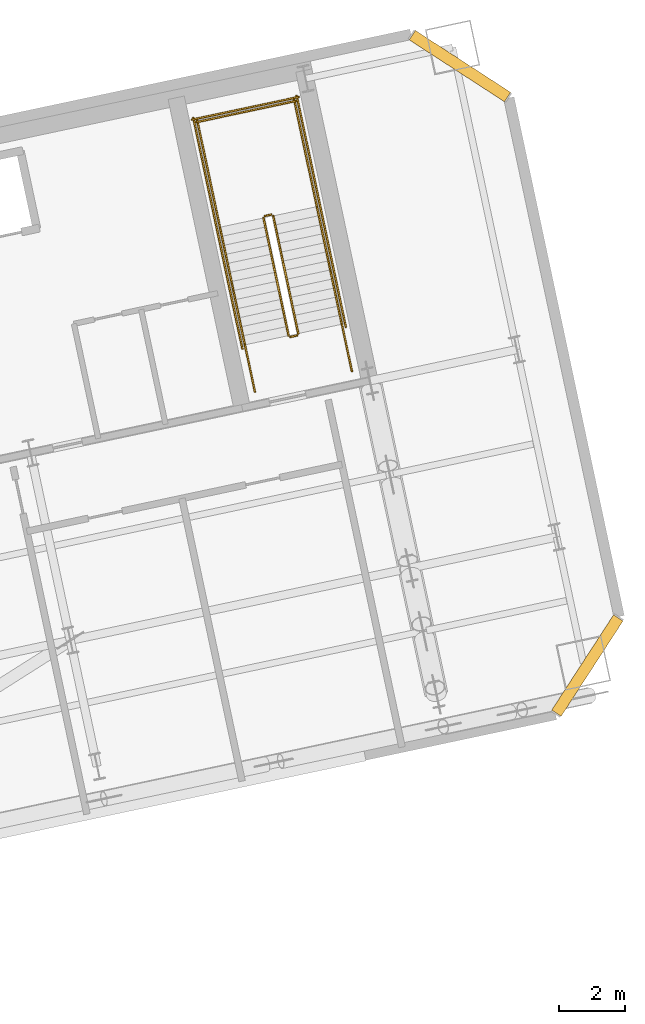
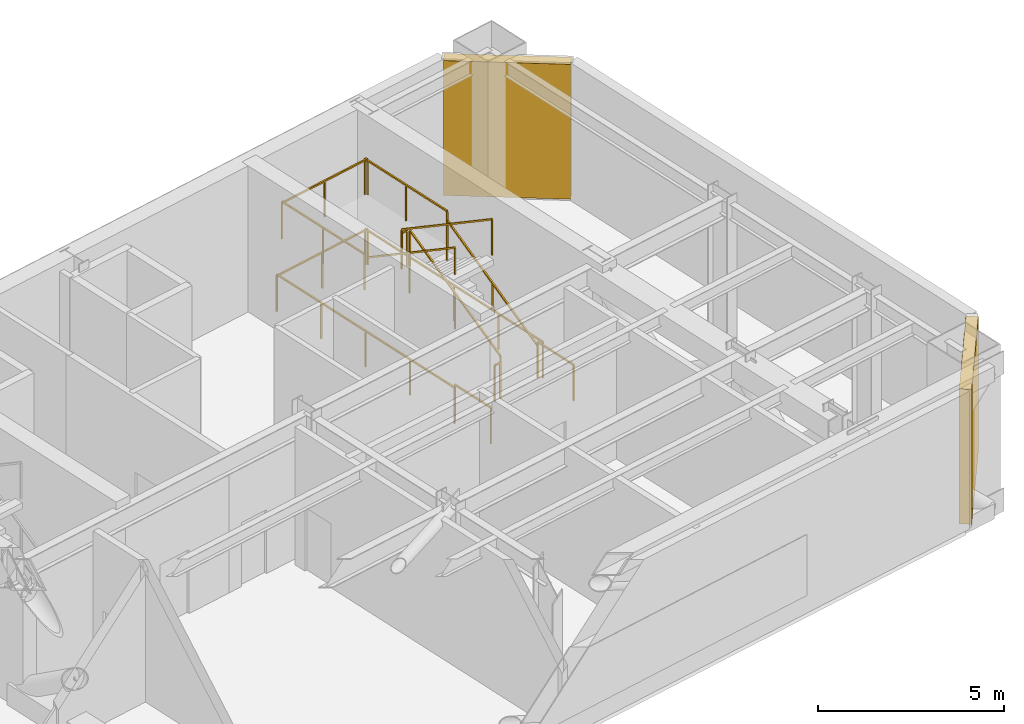
# One storey, part 15 of 15: 14 railings, 2 shading devices.
"""IFC4 building model written with IfcOpenShell, lengths in metres."""

import ifcopenshell
import ifcopenshell.guid

model = None  # the IFC model being written
_history = None  # IfcOwnerHistory: only IFC2X3 demands one
_inside = {}  # id of a spatial element -> (the spatial element, [elements in it])
_under = {}  # id of a project, library or spatial element -> (it, [spatial elements below it])
_declared = {}  # id of a project -> (the project, [libraries it declares])
_typed = {}  # id of a type object -> (the type object, [elements of that type])
_made_of = {}  # id of a material, layer set ... -> (it, [elements and type objects made of it])


def new_model(schema):
    """Start an empty IFC model of exactly this schema.

    Asked for "IFC4X3", IfcOpenShell would pick the latest addendum, in which some entities
    have other attributes; the version numbers below select the first issue.
    IFC2X3 requires an IfcOwnerHistory on every rooted entity: one is made here for all.
    """
    global model, _history
    if schema == "IFC4X3":
        model = ifcopenshell.file(schema_version=(4, 3, 0, 0))
    else:
        model = ifcopenshell.file(schema=schema)
    _inside.clear()
    _under.clear()
    _declared.clear()
    _typed.clear()
    _made_of.clear()
    _history = None
    if model.schema == "IFC2X3":
        org = make("IfcOrganization", Name="unknown")
        user = make(
            "IfcPersonAndOrganization",
            ThePerson=make("IfcPerson", FamilyName="unknown"),
            TheOrganization=org,
        )
        app = make(
            "IfcApplication",
            ApplicationDeveloper=org,
            Version="unknown",
            ApplicationFullName="unknown",
            ApplicationIdentifier="unknown",
        )
        _history = make(
            "IfcOwnerHistory",
            OwningUser=user,
            OwningApplication=app,
            ChangeAction="ADDED",
            CreationDate=0,
        )
    return model


def make(cls, **values):
    """One entity of the class cls with the attributes given. An attribute that is None is left unset."""
    return model.create_entity(
        cls, **{name: value for name, value in values.items() if value is not None}
    )


def rooted(cls, **values):
    """An entity with a GlobalId (a new one), such as an element, a storey or a relation."""
    return make(cls, GlobalId=ifcopenshell.guid.new(), OwnerHistory=_history, **values)


def si_unit(unit_type, name, prefix=None):
    """IfcSIUnit, for example si_unit("LENGTHUNIT", "METRE", prefix="MILLI")."""
    return make("IfcSIUnit", UnitType=unit_type, Prefix=prefix, Name=name)


def assignment(units):
    """IfcUnitAssignment: the units of a project."""
    return None if units is None else make("IfcUnitAssignment", Units=units)


def point(xyz):
    """IfcCartesianPoint."""
    return None if xyz is None else make("IfcCartesianPoint", Coordinates=xyz)


def direction(xyz):
    """IfcDirection."""
    return None if xyz is None else make("IfcDirection", DirectionRatios=xyz)


def frame(location, z_axis=None, x_axis=None):
    """IfcAxis2Placement3D, a coordinate frame: its origin and axes. An axis left out is left unset."""
    return make(
        "IfcAxis2Placement3D",
        Location=point(location),
        Axis=direction(z_axis),
        RefDirection=direction(x_axis),
    )


def frame_2d(location, x_axis=None):
    """IfcAxis2Placement2D, a coordinate frame in the plane: its origin and x axis."""
    return make(
        "IfcAxis2Placement2D", Location=point(location), RefDirection=direction(x_axis)
    )


def origin():
    """The frame at (0, 0, 0) with its axes left unset."""
    return frame((0.0, 0.0, 0.0))


def origin_2d():
    """The frame at (0, 0) in the plane with its x axis left unset."""
    return frame_2d((0.0, 0.0))


def place(relative_to, where):
    """IfcLocalPlacement: puts the frame where relative to a parent placement (None: the world)."""
    return make(
        "IfcLocalPlacement", PlacementRelTo=relative_to, RelativePlacement=where
    )


def context(
    kind, dimensions, precision=None, world=None, true_north=None, identifier=None
):
    """IfcGeometricRepresentationContext, for example the 3D "Model" context."""
    return make(
        "IfcGeometricRepresentationContext",
        ContextIdentifier=identifier,
        ContextType=kind,
        CoordinateSpaceDimension=dimensions,
        Precision=precision,
        WorldCoordinateSystem=world,
        TrueNorth=true_north,
    )


def subcontext(parent, identifier, kind, view, scale=None):
    """IfcGeometricRepresentationSubContext, for example "Body" below "Model"."""
    return make(
        "IfcGeometricRepresentationSubContext",
        ContextIdentifier=identifier,
        ContextType=kind,
        ParentContext=parent,
        TargetScale=scale,
        TargetView=view,
    )


def project(units=None, contexts=None):
    """IfcProject with its units and contexts."""
    return rooted(
        "IfcProject",
        Name="project",
        RepresentationContexts=contexts,
        UnitsInContext=assignment(units),
    )


def spatial(cls, under=None, at=None, **own):
    """A site, building, storey or space (cls), placed at a placement, below another one or the project."""
    s = rooted(cls, ObjectPlacement=at, **own)
    if under is not None:
        _under.setdefault(under.id(), (under, []))[1].append(s)
    return s


def profile(cls, at=None, kind="AREA", **sizes):
    """A parametric profile (cls). Its sizes go by their IFC names, for example OverallWidth=200.0."""
    return make(cls, ProfileType=kind, Position=at, **sizes)


def rectangle(**sizes):
    """IfcRectangleProfileDef."""
    return profile("IfcRectangleProfileDef", **sizes)


def extrude(swept, where, along, depth):
    """IfcExtrudedAreaSolid: the profile swept, set in the frame where, extruded along a direction by depth."""
    return make(
        "IfcExtrudedAreaSolid",
        SweptArea=swept,
        Position=where,
        ExtrudedDirection=direction(along),
        Depth=depth,
    )


def shape(context_of_items, identifier, shape_type, items):
    """IfcShapeRepresentation: the items that make up one representation, for example the "Body"."""
    return make(
        "IfcShapeRepresentation",
        ContextOfItems=context_of_items,
        RepresentationIdentifier=identifier,
        RepresentationType=shape_type,
        Items=items,
    )


def material(Name=None, Category=None):
    """IfcMaterial."""
    return make("IfcMaterial", Name=Name, Category=Category)


def layer(
    of_material, thickness, ventilated=None, Name=None, Category=None, Priority=None
):
    """IfcMaterialLayer: one layer of a wall or slab, of a material (None: an air gap)."""
    return make(
        "IfcMaterialLayer",
        Material=of_material,
        LayerThickness=thickness,
        IsVentilated=ventilated,
        Name=Name,
        Category=Category,
        Priority=Priority,
    )


def layer_set(layers, Name=None):
    """IfcMaterialLayerSet."""
    return make("IfcMaterialLayerSet", MaterialLayers=layers, LayerSetName=Name)


def made_of(thing, what):
    """Note that an element or type object is made of a material, layer set ...; save() writes the relation."""
    if what is not None:
        _made_of.setdefault(what.id(), (what, []))[1].append(thing)
    return thing


def type_object(cls, material=None, **own):
    """A type object (cls), such as IfcWallType, which elements share."""
    return made_of(rooted(cls, **own), material)


def element(
    cls,
    number,
    at=None,
    inside=None,
    cuts=None,
    type_object=None,
    material=None,
    context=None,
    identifier="Body",
    shape_type=None,
    held_by="IfcProductDefinitionShape",
    body=None,
    shapes=None,
    **own,
):
    """One element of the class cls, such as IfcWall. Its Tag is "e" and its number.

    at: its placement. inside: the storey or other place that contains it. cuts: it is an
    opening in that element (IfcRelVoidsElement). A single representation is given by context,
    identifier, shape_type and body (its items); several are given by shapes. held_by: the class
    of the entity that holds the representations. save() writes the other relations.
    """
    e = rooted(cls, Tag="e%d" % number, ObjectPlacement=at, **own)
    if body is not None:
        shapes = [shape(context, identifier, shape_type, body)]
    if shapes is not None:
        e.Representation = make(held_by, Representations=shapes)
    if inside is not None:
        _inside.setdefault(inside.id(), (inside, []))[1].append(e)
    if cuts is not None:
        rooted(
            "IfcRelVoidsElement", RelatingBuildingElement=cuts, RelatedOpeningElement=e
        )
    if type_object is not None:
        _typed.setdefault(type_object.id(), (type_object, []))[1].append(e)
    return made_of(e, material)


def aggregate(whole, parts):
    """IfcRelAggregates: a whole, such as a stair, and the parts it consists of."""
    return rooted("IfcRelAggregates", RelatingObject=whole, RelatedObjects=parts)


def save(model, path):
    """Write the relations noted so far, then the file.

    IfcRelAggregates (storeys below a building ...), IfcRelContainedInSpatialStructure (elements
    in a storey), IfcRelDefinesByType, IfcRelAssociatesMaterial and IfcRelDeclares: one each for
    every whole, place, type object, material and project.
    """
    for whole, parts in _under.values():
        aggregate(whole, parts)
    for where, things in _inside.values():
        rooted(
            "IfcRelContainedInSpatialStructure",
            RelatedElements=things,
            RelatingStructure=where,
        )
    for kind, things in _typed.values():
        rooted("IfcRelDefinesByType", RelatedObjects=things, RelatingType=kind)
    for what, things in _made_of.values():
        rooted("IfcRelAssociatesMaterial", RelatedObjects=things, RelatingMaterial=what)
    for by, libraries in _declared.values():
        rooted("IfcRelDeclares", RelatingContext=by, RelatedDefinitions=libraries)
    model.write(path)


model = new_model("IFC4")

# Units and contexts
model_context = context("Model", 3, precision=1e-05, world=origin(), true_north=direction((0.0, 1.0)))
body_context = subcontext(model_context, "Body", "Model", "MODEL_VIEW")
ifc_project = project(units=[si_unit("LENGTHUNIT", "METRE"), si_unit("AREAUNIT", "SQUARE_METRE"), si_unit("VOLUMEUNIT", "CUBIC_METRE"), si_unit("PLANEANGLEUNIT", "RADIAN"), si_unit("MASSUNIT", "GRAM", prefix="KILO")], contexts=[model_context])

# Site, building, storey
site_placement = place(None, origin())
site = spatial("IfcSite", under=ifc_project, at=site_placement, CompositionType="ELEMENT")
building_placement = place(site_placement, origin())
building = spatial("IfcBuilding", under=site, at=building_placement, Name="Haevon Station Towers", CompositionType="ELEMENT")
storey_placement = place(building_placement, frame((0.0, 0.0, 138.0)))
storey = spatial("IfcBuildingStorey", under=building, at=storey_placement, Name="L37", CompositionType="ELEMENT", Elevation=138.0)

# Railings
ifc_material_1 = material(Name="Steel S355", Category="steel")
railing_type_1 = type_object("IfcRailingType", Name="GRD-STR1200", PredefinedType="GUARDRAIL", material=ifc_material_1)
railing_1_placement = place(storey_placement, frame((117.128662109375, 43.23974609375, 0.17138671875)))
element("IfcRailing", 1, at=railing_1_placement, inside=storey, type_object=railing_type_1, Name="L37 ST4 Stair Guard 1", PredefinedType="GUARDRAIL", context=body_context, shape_type="SweptSolid", body=[
    extrude(rectangle(XDim=0.048095703125, YDim=0.048095703125, at=origin_2d()), frame((0.0, 0.0, 1.17578125), z_axis=(-0.177324344861, 0.834225240467, 0.522134393512), x_axis=(-0.978146576304, -0.207916510322, 0.0)), (0.0, 0.0, 1.0), 4.26806640625),
    extrude(rectangle(XDim=0.0419921875, YDim=0.0419921875, at=origin_2d()), origin(), (0.0, 0.0, 1.0), 1.15185546875),
    extrude(rectangle(XDim=0.0419921875, YDim=0.0419921875, at=origin_2d()), frame((-0.37841796875, 1.7802734375, 1.1142578125)), (0.0, 0.0, 1.0), 1.15185546875),
    extrude(rectangle(XDim=0.0419921875, YDim=0.0419921875, at=origin_2d()), frame((-0.7568359375, 3.560546875, 2.228515625)), (0.0, 0.0, 1.0), 1.15185546875),
])
railing_2_placement = place(storey_placement, frame((116.3125, 46.838623046875, 2.39990234375)))
element("IfcRailing", 2, at=railing_2_placement, inside=storey, type_object=railing_type_1, Name="L37 ST4 Stair Guard 2", PredefinedType="GUARDRAIL", context=body_context, shape_type="SweptSolid", body=[
    extrude(rectangle(XDim=0.048095703125, YDim=0.048095703125, at=origin_2d()), frame((0.0, 0.0, 1.17578125), z_axis=(-0.978211583308, -0.207610448392, 0.0), x_axis=(0.207610448392, -0.978211583308, 0.0)), (0.0, 0.0, 1.0), 0.199951171875),
    extrude(rectangle(XDim=0.0419921875, YDim=0.0419921875, at=origin_2d()), origin(), (0.0, 0.0, 1.0), 1.15185546875),
    extrude(rectangle(XDim=0.0419921875, YDim=0.0419921875, at=origin_2d()), frame((-0.195556640625, -0.04150390625, 0.0)), (0.0, 0.0, 1.0), 1.15185546875),
])
for number, where, name in (
    (3, (117.6923828125, 47.080810546875, 2.39990234375), "L37 ST4 Stair Guard 3"),
    (4, (114.7578125, 46.45703125, 2.39990234375), "L37 ST4 Stair Guard 4"),
):
    element("IfcRailing", number, at=place(storey_placement, frame(where)), inside=storey, type_object=railing_type_1, Name=name, PredefinedType="GUARDRAIL", context=body_context, shape_type="SweptSolid", body=[
        extrude(rectangle(XDim=0.048095703125, YDim=0.048095703125, at=origin_2d()), frame((0.0, 0.0, 1.17578125), z_axis=(-0.207916974835, 0.978146477566, 0.0), x_axis=(-0.978146477566, -0.207916974835, 0.0)), (0.0, 0.0, 1.0), 3.31005859375),
        extrude(rectangle(XDim=0.0419921875, YDim=0.0419921875, at=origin_2d()), origin(), (0.0, 0.0, 1.0), 1.15185546875),
        extrude(rectangle(XDim=0.0419921875, YDim=0.0419921875, at=origin_2d()), frame((-0.34423828125, 1.618896484375, 0.0)), (0.0, 0.0, 1.0), 1.15185546875),
        extrude(rectangle(XDim=0.0419921875, YDim=0.0419921875, at=origin_2d()), frame((-0.688232421875, 3.23779296875, 0.0)), (0.0, 0.0, 1.0), 1.15185546875),
    ])
railing_3_placement = place(storey_placement, frame((117.0634765625, 50.280029296875, 2.39990234375)))
element("IfcRailing", 5, at=railing_3_placement, inside=storey, type_object=railing_type_1, Name="L37 ST4 Stair Guard 5", PredefinedType="GUARDRAIL", context=body_context, shape_type="SweptSolid", body=[
    extrude(rectangle(XDim=0.048095703125, YDim=0.048095703125, at=origin_2d()), frame((0.0, 0.0, 1.17578125), z_axis=(-0.978146839882, -0.207915270313, 0.0), x_axis=(0.207915270313, -0.978146839882, 0.0)), (0.0, 0.0, 1.0), 3.099853515625),
    extrude(rectangle(XDim=0.0419921875, YDim=0.0419921875, at=origin_2d()), origin(), (0.0, 0.0, 1.0), 1.15185546875),
    extrude(rectangle(XDim=0.0419921875, YDim=0.0419921875, at=origin_2d()), frame((-1.51611328125, -0.322265625, 0.0)), (0.0, 0.0, 1.0), 1.15185546875),
    extrude(rectangle(XDim=0.0419921875, YDim=0.0419921875, at=origin_2d()), frame((-3.0322265625, -0.64453125, 0.0)), (0.0, 0.0, 1.0), 1.15185546875),
])
railing_4_placement = place(storey_placement, frame((116.078369140625, 46.73779296875, 2.571533203125)))
element("IfcRailing", 6, at=railing_4_placement, inside=storey, type_object=railing_type_1, Name="L37 ST4 Stair Guard 6", PredefinedType="GUARDRAIL", context=body_context, shape_type="SweptSolid", body=[
    extrude(rectangle(XDim=0.048095703125, YDim=0.048095703125, at=origin_2d()), frame((0.0, 0.0, 1.17578125), z_axis=(0.177324344861, -0.834225240467, 0.522134393512), x_axis=(0.978146576304, 0.207916510322, 0.0)), (0.0, 0.0, 1.0), 4.26806640625),
    extrude(rectangle(XDim=0.0419921875, YDim=0.0419921875, at=origin_2d()), origin(), (0.0, 0.0, 1.0), 1.15185546875),
    extrude(rectangle(XDim=0.0419921875, YDim=0.0419921875, at=origin_2d()), frame((0.37841796875, -1.7802734375, 1.1142578125)), (0.0, 0.0, 1.0), 1.15185546875),
    extrude(rectangle(XDim=0.0419921875, YDim=0.0419921875, at=origin_2d()), frame((0.7568359375, -3.560546875, 2.228515625)), (0.0, 0.0, 1.0), 1.15185546875),
])
railing_5_placement = place(storey_placement, frame((117.090087890625, 43.180419921875, 0.0)))
element("IfcRailing", 7, at=railing_5_placement, inside=storey, type_object=railing_type_1, Name="L37 ST4 Stair Guard 7", PredefinedType="GUARDRAIL", context=body_context, shape_type="SweptSolid", body=[
    extrude(rectangle(XDim=0.048095703125, YDim=0.048095703125, at=origin_2d()), frame((0.0, 0.0, 1.17578125), z_axis=(-0.978211583308, -0.207610448392, 0.0), x_axis=(0.207610448392, -0.978211583308, 0.0)), (0.0, 0.0, 1.0), 0.199951171875),
    extrude(rectangle(XDim=0.0419921875, YDim=0.0419921875, at=origin_2d()), origin(), (0.0, 0.0, 1.0), 1.15185546875),
    extrude(rectangle(XDim=0.0419921875, YDim=0.0419921875, at=origin_2d()), frame((-0.195556640625, -0.04150390625, 0.0)), (0.0, 0.0, 1.0), 1.15185546875),
])
for number, where, name in (
    (8, (118.75048828125, 42.10205078125, 0.0), "L37 ST4 Stair Guard 8"),
    (9, (115.816162109375, 41.478271484375, 0.0), "L37 ST4 Stair Guard 9"),
):
    element("IfcRailing", number, at=place(storey_placement, frame(where)), inside=storey, type_object=railing_type_1, Name=name, PredefinedType="GUARDRAIL", context=body_context, shape_type="SweptSolid", body=[
        extrude(rectangle(XDim=0.048095703125, YDim=0.048095703125, at=origin_2d()), frame((0.0, 0.0, 1.17578125), z_axis=(-0.207919161079, 0.978146012851, 0.0), x_axis=(-0.978146012851, -0.207919161079, 0.0)), (0.0, 0.0, 1.0), 1.4501953125),
        extrude(rectangle(XDim=0.0419921875, YDim=0.0419921875, at=origin_2d()), origin(), (0.0, 0.0, 1.0), 1.15185546875),
        extrude(rectangle(XDim=0.0419921875, YDim=0.0419921875, at=origin_2d()), frame((-0.301513671875, 1.41845703125, 0.0)), (0.0, 0.0, 1.0), 1.15185546875),
    ])
railing_6_placement = place(storey_placement, frame((118.567626953125, 43.443359375, 0.0)))
element("IfcRailing", 10, at=railing_6_placement, inside=storey, type_object=railing_type_1, Name="L37 ST4 Stair Guard 10", PredefinedType="GUARDRAIL", context=body_context, shape_type="SweptSolid", body=[
    extrude(rectangle(XDim=0.048095703125, YDim=0.048095703125, at=origin_2d()), frame((0.0, 0.0, 1.17578125), z_axis=(-0.207908168386, 0.978148349443, 0.0), x_axis=(-0.978148349443, -0.207908168386, 0.0)), (0.0, 0.0, 1.0), 7.150146484375),
    extrude(rectangle(XDim=0.0419921875, YDim=0.0419921875, at=origin_2d()), origin(), (0.0, 0.0, 1.0), 1.15185546875),
    extrude(rectangle(XDim=0.0419921875, YDim=0.0419921875, at=origin_2d()), frame((-0.37158203125, 1.74853515625, 0.0)), (0.0, 0.0, 1.0), 1.15185546875),
    extrude(rectangle(XDim=0.0419921875, YDim=0.0419921875, at=origin_2d()), frame((-0.7431640625, 3.4970703125, 0.0)), (0.0, 0.0, 1.0), 1.15185546875),
    extrude(rectangle(XDim=0.0419921875, YDim=0.0419921875, at=origin_2d()), frame((-1.114990234375, 5.245361328125, 0.0)), (0.0, 0.0, 1.0), 1.15185546875),
    extrude(rectangle(XDim=0.0419921875, YDim=0.0419921875, at=origin_2d()), frame((-1.486572265625, 6.993896484375, 0.0)), (0.0, 0.0, 1.0), 1.15185546875),
])
railing_7_placement = place(storey_placement, frame((115.4375, 42.778076171875, 0.0)))
element("IfcRailing", 11, at=railing_7_placement, inside=storey, type_object=railing_type_1, Name="L37 ST4 Stair Guard 11", PredefinedType="GUARDRAIL", context=body_context, shape_type="SweptSolid", body=[
    extrude(rectangle(XDim=0.048095703125, YDim=0.048095703125, at=origin_2d()), frame((0.0, 0.0, 1.17578125), z_axis=(-0.207882442208, 0.978153817261, 0.0), x_axis=(-0.978153817261, -0.207882442208, 0.0)), (0.0, 0.0, 1.0), 7.14990234375),
    extrude(rectangle(XDim=0.0419921875, YDim=0.0419921875, at=origin_2d()), origin(), (0.0, 0.0, 1.0), 1.15185546875),
    extrude(rectangle(XDim=0.0419921875, YDim=0.0419921875, at=origin_2d()), frame((-0.37158203125, 1.74853515625, 0.0)), (0.0, 0.0, 1.0), 1.15185546875),
    extrude(rectangle(XDim=0.0419921875, YDim=0.0419921875, at=origin_2d()), frame((-0.7431640625, 3.496826171875, 0.0)), (0.0, 0.0, 1.0), 1.15185546875),
    extrude(rectangle(XDim=0.0419921875, YDim=0.0419921875, at=origin_2d()), frame((-1.11474609375, 5.2451171875, 0.0)), (0.0, 0.0, 1.0), 1.15185546875),
    extrude(rectangle(XDim=0.0419921875, YDim=0.0419921875, at=origin_2d()), frame((-1.486328125, 6.99365234375, 0.0)), (0.0, 0.0, 1.0), 1.15185546875),
])
railing_8_placement = place(storey_placement, frame((117.140380859375, 50.398681640625, 0.0)))
element("IfcRailing", 12, at=railing_8_placement, inside=storey, type_object=railing_type_1, Name="L37 ST4 Stair Guard 12", PredefinedType="GUARDRAIL", context=body_context, shape_type="SweptSolid", body=[
    extrude(rectangle(XDim=0.048095703125, YDim=0.048095703125, at=origin_2d()), frame((0.0, 0.0, 1.17578125), z_axis=(-0.978135717418, -0.207967589567, 0.0), x_axis=(0.207967589567, -0.978135717418, 0.0)), (0.0, 0.0, 1.0), 3.300048828125),
    extrude(rectangle(XDim=0.0419921875, YDim=0.0419921875, at=origin_2d()), origin(), (0.0, 0.0, 1.0), 1.15185546875),
    extrude(rectangle(XDim=0.0419921875, YDim=0.0419921875, at=origin_2d()), frame((-1.61376953125, -0.34326171875, 0.0)), (0.0, 0.0, 1.0), 1.15185546875),
    extrude(rectangle(XDim=0.0419921875, YDim=0.0419921875, at=origin_2d()), frame((-3.227783203125, -0.686279296875, 0.0)), (0.0, 0.0, 1.0), 1.15185546875),
])
railing_type_2 = type_object("IfcRailingType", Name="HND-STR900", PredefinedType="HANDRAIL", material=ifc_material_1)
railing_9_placement = place(storey_placement, frame((118.448974609375, 43.5205078125, 0.17138671875)))
element("IfcRailing", 13, at=railing_9_placement, inside=storey, type_object=railing_type_2, Name="L37 ST4 Stair Handrail 1", PredefinedType="HANDRAIL", context=body_context, shape_type="SweptSolid", body=[
    extrude(rectangle(XDim=0.048095703125, YDim=0.048095703125, at=origin_2d()), frame((0.0, 0.0, 0.8759765625), z_axis=(-0.17727740081, 0.834216307201, 0.522164606194), x_axis=(-0.978157316656, -0.207865975747, 0.0)), (0.0, 0.0, 1.0), 4.267822265625),
    extrude(rectangle(XDim=0.0419921875, YDim=0.0419921875, at=origin_2d()), origin(), (0.0, 0.0, 1.0), 0.851806640625),
    extrude(rectangle(XDim=0.0419921875, YDim=0.0419921875, at=origin_2d()), frame((-0.37841796875, 1.7802734375, 1.1142578125)), (0.0, 0.0, 1.0), 0.851806640625),
    extrude(rectangle(XDim=0.0419921875, YDim=0.0419921875, at=origin_2d()), frame((-0.756591796875, 3.560302734375, 2.228515625)), (0.0, 0.0, 1.0), 0.851806640625),
])
railing_10_placement = place(storey_placement, frame((114.7578125, 46.45703125, 2.571533203125)))
element("IfcRailing", 14, at=railing_10_placement, inside=storey, type_object=railing_type_2, Name="L37 ST4 Stair Handrail 2", PredefinedType="HANDRAIL", context=body_context, shape_type="SweptSolid", body=[
    extrude(rectangle(XDim=0.048095703125, YDim=0.048095703125, at=origin_2d()), frame((0.0, 0.0, 0.8759765625), z_axis=(0.17733280689, -0.834207846092, 0.522159310096), x_axis=(0.978143676638, 0.20793015138, 0.0)), (0.0, 0.0, 1.0), 4.267822265625),
    extrude(rectangle(XDim=0.0419921875, YDim=0.0419921875, at=origin_2d()), origin(), (0.0, 0.0, 1.0), 0.851806640625),
    extrude(rectangle(XDim=0.0419921875, YDim=0.0419921875, at=origin_2d()), frame((0.37841796875, -1.7802734375, 1.1142578125)), (0.0, 0.0, 1.0), 0.851806640625),
    extrude(rectangle(XDim=0.0419921875, YDim=0.0419921875, at=origin_2d()), frame((0.7568359375, -3.560302734375, 2.228515625)), (0.0, 0.0, 1.0), 0.851806640625),
])

# Shading devices
ifc_material_2 = material(Name="Anodised aluminium 6063-T6", Category="aluminium")
ifc_layer = layer(ifc_material_2, 0.139892578125)
ifc_layer_set = layer_set([ifc_layer], Name="Anodised aluminium 6063-T6")
shading_device_type = type_object("IfcShadingDeviceType", Name="SHD-WIND-BAFFLE", PredefinedType="SHUTTER", material=ifc_layer_set)
for number, where, z_axis, x_axis, name in (
    (15, (122.022705078125, 51.334228515625, 0.0498046875), (0.0, 0.0, 1.0), (0.838670603544, -0.544638980197, 0.0), "Tower 2 L37 Wind-Corner Aerofoil Baffle NEC"),
    (16, (125.87939453125, 33.189453125, 0.0498046875), (0.0, 0.0, 1.0), (-0.544638910449, -0.838670648839, 0.0), "Tower 2 L37 Wind-Corner Aerofoil Baffle SEC"),
):
    element("IfcShadingDevice", number, at=place(storey_placement, frame(where, z_axis=z_axis, x_axis=x_axis)), inside=storey, type_object=shading_device_type, Name=name, PredefinedType="SHUTTER", context=body_context, shape_type="SweptSolid", body=[
        extrude(rectangle(XDim=3.435546875, YDim=0.340087890625, at=origin_2d()), origin(), (0.0, 0.0, 1.0), 4.429931640625),
    ])

save(model, "model.ifc")
